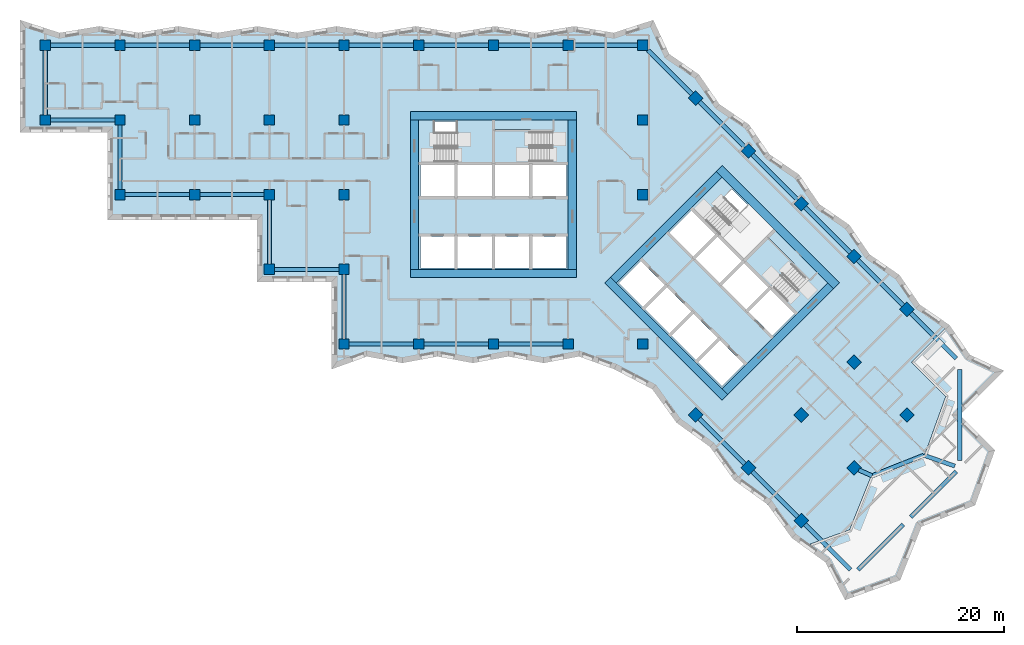
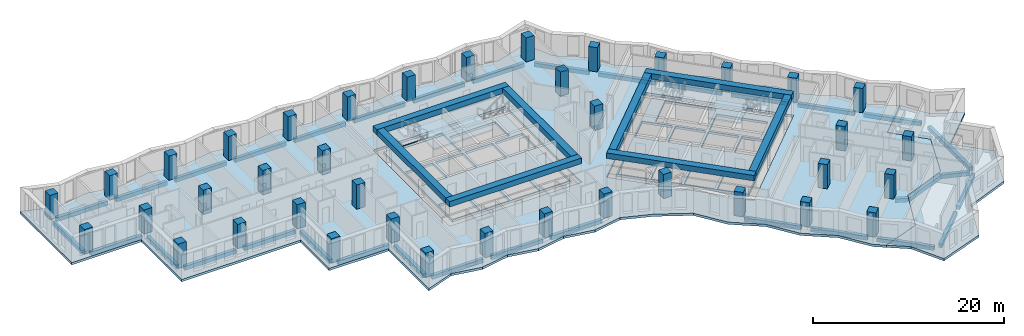
# One storey, part 1 of 14: 42 beams, 39 columns, 7 slabs, 22 openings, 3 elements without a shape of their own.
"""IFC4 building model written with IfcOpenShell, lengths in metres."""

from ifc_helpers import new_model, si_unit, direction, frame, origin, origin_2d, place, context, subcontext, project, spatial, polyline, rectangle, outline, extrude, material, layer, layer_set, material_profile, profile_set, type_object, element, aggregate, save


model = new_model("IFC4")

# Units and contexts
model_context = context("Model", 3, precision=1e-05, world=origin(), true_north=direction((0.0, 1.0)))
body_context = subcontext(model_context, "Body", "Model", "MODEL_VIEW")
ifc_project = project(units=[si_unit("LENGTHUNIT", "METRE"), si_unit("AREAUNIT", "SQUARE_METRE"), si_unit("VOLUMEUNIT", "CUBIC_METRE"), si_unit("PLANEANGLEUNIT", "RADIAN"), si_unit("MASSUNIT", "GRAM", prefix="KILO")], contexts=[model_context])

# Site, building, storey
site_placement = place(None, origin())
site = spatial("IfcSite", under=ifc_project, at=site_placement, CompositionType="ELEMENT")
building_placement = place(site_placement, origin())
building = spatial("IfcBuilding", under=site, at=building_placement, Name="Windrow Commons", CompositionType="ELEMENT")
storey_placement = place(building_placement, frame((0.0, 0.0, 118.6)))
storey = spatial("IfcBuildingStorey", under=building, at=storey_placement, Name="L32", CompositionType="ELEMENT", Elevation=118.6)

# Columns
ifc_material_1 = material(Name="Concrete C60/75", Category="concrete")
ifc_material_profile_1 = material_profile(ifc_material_1, rectangle(XDim=1.0, YDim=1.0, at=origin_2d()))
ifc_profile_set_1 = profile_set([ifc_material_profile_1], Name="Concrete C60/75")
column_type = type_object("IfcColumnType", Name="RC COLUMN 1000x1000 C60/75", PredefinedType="COLUMN", material=ifc_profile_set_1)
for number, where, z_axis, x_axis, name in (
    (1, (21.6, 64.8, 0.0), (0.0, 0.0, 1.0), (1.0, 0.0, 0.0), "C-Z2-04I"),
    (2, (21.6, 72.0, 0.0), (0.0, 0.0, 1.0), (1.0, 0.0, 0.0), "C-Z2-04J"),
    (3, (28.8, 57.6, 0.0), (0.0, 0.0, 1.0), (1.0, 0.0, 0.0), "C-Z2-05H"),
    (4, (28.8, 64.8, 0.0), (0.0, 0.0, 1.0), (1.0, 0.0, 0.0), "C-Z2-05I"),
    (5, (28.8, 72.0, 0.0), (0.0, 0.0, 1.0), (1.0, 0.0, 0.0), "C-Z2-05J"),
    (6, (36.0, 57.6, 0.0), (0.0, 0.0, 1.0), (1.0, 0.0, 0.0), "C-Z2-06H"),
    (7, (36.0, 64.8, 0.0), (0.0, 0.0, 1.0), (1.0, 0.0, 0.0), "C-Z2-06I"),
    (8, (36.0, 72.0, 0.0), (0.0, 0.0, 1.0), (1.0, 0.0, 0.0), "C-Z2-06J"),
    (9, (43.2, 50.4, 0.0), (0.0, 0.0, 1.0), (1.0, 0.0, 0.0), "C-Z2-07G"),
    (10, (43.2, 57.6, 0.0), (0.0, 0.0, 1.0), (1.0, 0.0, 0.0), "C-Z2-07H"),
    (11, (43.2, 64.8, 0.0), (0.0, 0.0, 1.0), (1.0, 0.0, 0.0), "C-Z2-07I"),
    (12, (43.2, 72.0, 0.0), (0.0, 0.0, 1.0), (1.0, 0.0, 0.0), "C-Z2-07J"),
    (13, (50.4, 43.2, 0.0), (0.0, 0.0, 1.0), (1.0, 0.0, 0.0), "C-Z2-08F"),
    (14, (50.4, 50.4, 0.0), (0.0, 0.0, 1.0), (1.0, 0.0, 0.0), "C-Z2-08G"),
    (15, (50.4, 57.6, 0.0), (0.0, 0.0, 1.0), (1.0, 0.0, 0.0), "C-Z2-08H"),
    (16, (50.4, 64.8, 0.0), (0.0, 0.0, 1.0), (1.0, 0.0, 0.0), "C-Z2-08I"),
    (17, (50.4, 72.0, 0.0), (0.0, 0.0, 1.0), (1.0, 0.0, 0.0), "C-Z2-08J"),
    (18, (57.6, 43.2, 0.0), (0.0, 0.0, 1.0), (1.0, 0.0, 0.0), "C-Z2-09F"),
    (19, (57.6, 72.0, 0.0), (0.0, 0.0, 1.0), (1.0, 0.0, 0.0), "C-Z2-09J"),
    (20, (64.8, 43.2, 0.0), (0.0, 0.0, 1.0), (1.0, 0.0, 0.0), "C-Z2-10F"),
    (21, (64.8, 72.0, 0.0), (0.0, 0.0, 1.0), (1.0, 0.0, 0.0), "C-Z2-10J"),
    (22, (72.0, 43.2, 0.0), (0.0, 0.0, 1.0), (1.0, 0.0, 0.0), "C-Z2-11F"),
    (23, (72.0, 72.0, 0.0), (0.0, 0.0, 1.0), (1.0, 0.0, 0.0), "C-Z2-11J"),
    (24, (79.2, 43.2, 0.0), (0.0, 0.0, 1.0), (1.0, 0.0, 0.0), "C-Z2-12F"),
    (25, (79.2, 57.6, 0.0), (0.0, 0.0, 1.0), (1.0, 0.0, 0.0), "C-Z2-12H"),
    (26, (79.2, 64.8, 0.0), (0.0, 0.0, 1.0), (1.0, 0.0, 0.0), "C-Z2-12I"),
    (27, (79.2, 72.0, 0.0), (0.0, 0.0, 1.0), (1.0, 0.0, 0.0), "C-Z2-12J"),
    (28, (84.2912, 66.9088, 0.0), (0.0, 0.0, 1.0), (0.7071067812, -0.7071067812, 0.0), "C-Z2-P2Q"),
    (29, (89.3823, 61.8177, 0.0), (0.0, 0.0, 1.0), (0.7071067812, -0.7071067812, 0.0), "C-Z2-P3Q"),
    (30, (94.4735, 56.7265, 0.0), (0.0, 0.0, 1.0), (0.7071067812, -0.7071067812, 0.0), "C-Z2-P4Q"),
    (31, (99.5647, 51.6353, 0.0), (0.0, 0.0, 1.0), (0.7071067812, -0.7071067812, 0.0), "C-Z2-P5Q"),
    (32, (84.2912, 36.3618, 0.0), (0.0, 0.0, 1.0), (0.7071067812, -0.7071067812, 0.0), "C-Z2-P5T"),
    (33, (104.6558, 46.5442, 0.0), (0.0, 0.0, 1.0), (0.7071067812, -0.7071067812, 0.0), "C-Z2-P6Q"),
    (34, (99.5647, 41.453, 0.0), (0.0, 0.0, 1.0), (0.7071067812, -0.7071067812, 0.0), "C-Z2-P6R"),
    (35, (94.4735, 36.3618, 0.0), (0.0, 0.0, 1.0), (0.7071067812, -0.7071067812, 0.0), "C-Z2-P6S"),
    (36, (89.3823, 31.2706, 0.0), (0.0, 0.0, 1.0), (0.7071067812, -0.7071067812, 0.0), "C-Z2-P6T"),
    (37, (104.6558, 36.3618, 0.0), (0.0, 0.0, 1.0), (0.7071067812, -0.7071067812, 0.0), "C-Z2-P7R"),
    (38, (99.5647, 31.2706, 0.0), (0.0, 0.0, 1.0), (0.7071067812, -0.7071067812, 0.0), "C-Z2-P7S"),
    (39, (94.4735, 26.1795, 0.0), (0.0, 0.0, 1.0), (0.7071067812, -0.7071067812, 0.0), "C-Z2-P7T"),
):
    element("IfcColumn", number, at=place(storey_placement, frame(where, z_axis=z_axis, x_axis=x_axis)), inside=storey, type_object=column_type, Name=name, PredefinedType="COLUMN", context=body_context, shape_type="SweptSolid", body=[
        extrude(rectangle(XDim=1.0, YDim=1.0, at=origin_2d()), origin(), (0.0, 0.0, 1.0), 3.1),
    ])

# Beams
ifc_material_2 = material(Name="Concrete C50/60", Category="concrete")
ifc_material_profile_2 = material_profile(ifc_material_2, rectangle(XDim=0.8, YDim=0.7, at=origin_2d()))
ifc_profile_set_2 = profile_set([ifc_material_profile_2], Name="Concrete C50/60")
beam_type_1 = type_object("IfcBeamType", Name="RC COUPLING BEAM 800x700 C50/60", PredefinedType="LINTEL", material=ifc_profile_set_2)
for number, where, z_axis, x_axis, name in (
    (40, (56.8, 50.0, 2.75), (1.0, 0.0, 0.0), (0.0, 1.0, 0.0), "Core A coupling beam outer-S"),
    (41, (56.8, 65.2, 2.75), (1.0, 0.0, 0.0), (0.0, 1.0, 0.0), "Core A coupling beam outer-N"),
):
    element("IfcBeam", number, at=place(storey_placement, frame(where, z_axis=z_axis, x_axis=x_axis)), inside=storey, type_object=beam_type_1, Name=name, PredefinedType="LINTEL", context=body_context, shape_type="SweptSolid", body=[
        extrude(rectangle(XDim=0.8, YDim=0.7, at=origin_2d()), origin(), (0.0, 0.0, 1.0), 16.0),
    ])
for number, where, z_axis, x_axis, name in (
    (42, (57.2, 50.4, 2.75), (0.0, 1.0, 0.0), (-1.0, 0.0, 0.0), "Core A coupling beam outer-W"),
    (43, (72.4, 50.4, 2.75), (0.0, 1.0, 0.0), (-1.0, 0.0, 0.0), "Core A coupling beam outer-E"),
):
    element("IfcBeam", number, at=place(storey_placement, frame(where, z_axis=z_axis, x_axis=x_axis)), inside=storey, type_object=beam_type_1, Name=name, PredefinedType="LINTEL", context=body_context, shape_type="SweptSolid", body=[
        extrude(rectangle(XDim=0.8, YDim=0.7, at=origin_2d()), origin(), (0.0, 0.0, 1.0), 14.4),
    ])
for number, where, z_axis, x_axis, name in (
    (44, (75.8059, 49.3726, 2.75), (0.7071067812, -0.7071067812, 0.0), (0.7071067812, 0.7071067812, 0.0), "Core B coupling beam outer-S"),
    (45, (86.5539, 60.1206, 2.75), (0.7071067812, -0.7071067812, 0.0), (0.7071067812, 0.7071067812, 0.0), "Core B coupling beam outer-N"),
):
    element("IfcBeam", number, at=place(storey_placement, frame(where, z_axis=z_axis, x_axis=x_axis)), inside=storey, type_object=beam_type_1, Name=name, PredefinedType="LINTEL", context=body_context, shape_type="SweptSolid", body=[
        extrude(rectangle(XDim=0.8, YDim=0.7, at=origin_2d()), origin(), (0.0, 0.0, 1.0), 16.0),
    ])
for number, where, z_axis, x_axis, name in (
    (46, (76.3716, 49.3726, 2.75), (0.7071067812, 0.7071067812, 0.0), (-0.7071067812, 0.7071067812, 0.0), "Core B coupling beam outer-W"),
    (47, (87.1196, 38.6246, 2.75), (0.7071067812, 0.7071067812, 0.0), (-0.7071067812, 0.7071067812, 0.0), "Core B coupling beam outer-E"),
):
    element("IfcBeam", number, at=place(storey_placement, frame(where, z_axis=z_axis, x_axis=x_axis)), inside=storey, type_object=beam_type_1, Name=name, PredefinedType="LINTEL", context=body_context, shape_type="SweptSolid", body=[
        extrude(rectangle(XDim=0.8, YDim=0.7, at=origin_2d()), origin(), (0.0, 0.0, 1.0), 14.3999),
    ])
ifc_material_3 = material(Name="Concrete C50/60", Category="concrete")
ifc_material_profile_3 = material_profile(ifc_material_3, rectangle(XDim=0.4, YDim=0.5, at=origin_2d()))
ifc_profile_set_3 = profile_set([ifc_material_profile_3], Name="Concrete C50/60")
beam_type_2 = type_object("IfcBeamType", Name="RC EDGE BEAM 400x500 C50/60", PredefinedType="SPANDREL", material=ifc_profile_set_3)
beam_1_placement = place(storey_placement, frame((101.2922, 30.5004, -0.55), z_axis=(0.929157453, 0.3696842268, 0.0), x_axis=(-0.3696842268, 0.929157453, 0.0)))
element("IfcBeam", 48, at=beam_1_placement, inside=storey, type_object=beam_type_2, Name="Terrace base beam TR-L32-1", PredefinedType="SPANDREL", context=body_context, shape_type="SweptSolid", body=[
    extrude(rectangle(XDim=0.4, YDim=0.5, at=origin_2d()), origin(), (0.0, 0.0, 1.0), 5.367),
])
beam_2_placement = place(storey_placement, frame((100.0081, 31.0729, -0.55), z_axis=(0.9133387079, -0.4072006933, 0.0), x_axis=(0.4072006933, 0.9133387079, 0.0)))
element("IfcBeam", 49, at=beam_2_placement, inside=storey, type_object=beam_type_2, Name="Terrace base bracket beam TR-L32-1.1", PredefinedType="SPANDREL", context=body_context, shape_type="SweptSolid", body=[
    extrude(rectangle(XDim=0.4, YDim=0.5, at=origin_2d()), origin(), (0.0, 0.0, 1.0), 1.4059),
])
beam_3_placement = place(storey_placement, frame((109.2704, 31.4374, -0.55), z_axis=(-0.943847534, 0.3303813441, 0.0), x_axis=(-0.3303813441, -0.943847534, 0.0)))
element("IfcBeam", 50, at=beam_3_placement, inside=storey, type_object=beam_type_2, Name="Terrace base bracket beam TR-L32-1.2", PredefinedType="SPANDREL", context=body_context, shape_type="SweptSolid", body=[
    extrude(rectangle(XDim=0.4, YDim=0.5, at=origin_2d()), origin(), (0.0, 0.0, 1.0), 3.1694),
])
for number, where, z_axis, x_axis, name in (
    (51, (35.5, 57.6, -0.55), (-1.0, 0.0, 0.0), (0.0, -1.0, 0.0), "Edge beam L32 001"),
    (52, (28.8, 58.1, -0.55), (0.0, 1.0, 0.0), (-1.0, 0.0, 0.0), "Edge beam L32 002"),
    (53, (28.3, 64.8, -0.55), (-1.0, 0.0, 0.0), (0.0, -1.0, 0.0), "Edge beam L32 003"),
    (54, (21.6, 65.3, -0.55), (0.0, 1.0, 0.0), (-1.0, 0.0, 0.0), "Edge beam L32 004"),
    (55, (22.1, 72.0, -0.55), (1.0, 0.0, 0.0), (0.0, 1.0, 0.0), "Edge beam L32 005"),
    (56, (29.3, 72.0, -0.55), (1.0, 0.0, 0.0), (0.0, 1.0, 0.0), "Edge beam L32 006"),
    (57, (36.5, 72.0, -0.55), (1.0, 0.0, 0.0), (0.0, 1.0, 0.0), "Edge beam L32 007"),
    (58, (43.7, 72.0, -0.55), (1.0, 0.0, 0.0), (0.0, 1.0, 0.0), "Edge beam L32 008"),
    (59, (50.9, 72.0, -0.55), (1.0, 0.0, 0.0), (0.0, 1.0, 0.0), "Edge beam L32 009"),
    (60, (58.1, 72.0, -0.55), (1.0, 0.0, 0.0), (0.0, 1.0, 0.0), "Edge beam L32 010"),
    (61, (65.3, 72.0, -0.55), (1.0, 0.0, 0.0), (0.0, 1.0, 0.0), "Edge beam L32 011"),
    (62, (72.5, 72.0, -0.55), (1.0, 0.0, 0.0), (0.0, 1.0, 0.0), "Edge beam L32 012"),
):
    element("IfcBeam", number, at=place(storey_placement, frame(where, z_axis=z_axis, x_axis=x_axis)), inside=storey, type_object=beam_type_2, Name=name, PredefinedType="SPANDREL", context=body_context, shape_type="SweptSolid", body=[
        extrude(rectangle(XDim=0.4, YDim=0.5, at=origin_2d()), origin(), (0.0, 0.0, 1.0), 6.2),
    ])
beam_4_placement = place(storey_placement, frame((79.7, 71.5, -0.55), z_axis=(0.7071067812, -0.7071067812, 0.0), x_axis=(0.7071067812, 0.7071067812, 0.0)))
element("IfcBeam", 63, at=beam_4_placement, inside=storey, type_object=beam_type_2, Name="Edge beam L32 013", PredefinedType="SPANDREL", context=body_context, shape_type="SweptSolid", body=[
    extrude(rectangle(XDim=0.4, YDim=0.5, at=origin_2d()), origin(), (0.0, 0.0, 1.0), 5.9929),
])
beam_5_placement = place(storey_placement, frame((84.6448, 66.5552, -0.55), z_axis=(0.7071067812, -0.7071067812, 0.0), x_axis=(0.7071067812, 0.7071067812, 0.0)))
element("IfcBeam", 64, at=beam_5_placement, inside=storey, type_object=beam_type_2, Name="Edge beam L32 014", PredefinedType="SPANDREL", context=body_context, shape_type="SweptSolid", body=[
    extrude(rectangle(XDim=0.4, YDim=0.5, at=origin_2d()), origin(), (0.0, 0.0, 1.0), 6.1998),
])
for number, where, z_axis, x_axis, name in (
    (65, (89.7359, 61.4641, -0.55), (0.7071067812, -0.7071067812, 0.0), (0.7071067812, 0.7071067812, 0.0), "Edge beam L32 015"),
    (66, (94.8271, 56.3729, -0.55), (0.7071067812, -0.7071067812, 0.0), (0.7071067812, 0.7071067812, 0.0), "Edge beam L32 016"),
):
    element("IfcBeam", number, at=place(storey_placement, frame(where, z_axis=z_axis, x_axis=x_axis)), inside=storey, type_object=beam_type_2, Name=name, PredefinedType="SPANDREL", context=body_context, shape_type="SweptSolid", body=[
        extrude(rectangle(XDim=0.4, YDim=0.5, at=origin_2d()), origin(), (0.0, 0.0, 1.0), 6.1999),
    ])
beam_6_placement = place(storey_placement, frame((99.9183, 51.2817, -0.55), z_axis=(0.7071067812, -0.7071067812, 0.0), x_axis=(0.7071067812, 0.7071067812, 0.0)))
element("IfcBeam", 67, at=beam_6_placement, inside=storey, type_object=beam_type_2, Name="Edge beam L32 017", PredefinedType="SPANDREL", context=body_context, shape_type="SweptSolid", body=[
    extrude(rectangle(XDim=0.4, YDim=0.5, at=origin_2d()), origin(), (0.0, 0.0, 1.0), 6.1998),
])
beam_7_placement = place(storey_placement, frame((105.0094, 46.1906, -0.55), z_axis=(0.7071067812, -0.7071067812, 0.0), x_axis=(0.7071067812, 0.7071067812, 0.0)))
element("IfcBeam", 68, at=beam_7_placement, inside=storey, type_object=beam_type_2, Name="Edge beam L32 018", PredefinedType="SPANDREL", context=body_context, shape_type="SweptSolid", body=[
    extrude(rectangle(XDim=0.4, YDim=0.5, at=origin_2d()), origin(), (0.0, 0.0, 1.0), 6.1999),
])
beam_8_placement = place(storey_placement, frame((109.747, 40.7459, -0.55), z_axis=(0.0, -1.0, 0.0), x_axis=(1.0, 0.0, 0.0)))
element("IfcBeam", 69, at=beam_8_placement, inside=storey, type_object=beam_type_2, Name="Edge beam L32 019", PredefinedType="SPANDREL", context=body_context, shape_type="SweptSolid", body=[
    extrude(rectangle(XDim=0.4, YDim=0.5, at=origin_2d()), origin(), (0.0, 0.0, 1.0), 8.7682),
])
for number, where, z_axis, x_axis, name in (
    (70, (109.3934, 30.917, -0.55), (-0.7071148459, -0.7070987164, 0.0), (0.7070987164, -0.7071148459, 0.0), "Edge beam L32 020"),
    (71, (104.3022, 25.8259, -0.55), (-0.7070987164, -0.7071148459, 0.0), (0.7071148459, -0.7070987164, 0.0), "Edge beam L32 021"),
):
    element("IfcBeam", number, at=place(storey_placement, frame(where, z_axis=z_axis, x_axis=x_axis)), inside=storey, type_object=beam_type_2, Name=name, PredefinedType="SPANDREL", context=body_context, shape_type="SweptSolid", body=[
        extrude(rectangle(XDim=0.4, YDim=0.5, at=origin_2d()), origin(), (0.0, 0.0, 1.0), 6.1998),
    ])
beam_9_placement = place(storey_placement, frame((99.2111, 21.4419, -0.55), z_axis=(-0.7071067812, 0.7071067812, 0.0), x_axis=(-0.7071067812, -0.7071067812, 0.0)))
element("IfcBeam", 72, at=beam_9_placement, inside=storey, type_object=beam_type_2, Name="Edge beam L32 022", PredefinedType="SPANDREL", context=body_context, shape_type="SweptSolid", body=[
    extrude(rectangle(XDim=0.4, YDim=0.5, at=origin_2d()), origin(), (0.0, 0.0, 1.0), 6.1999),
])
for number, where, z_axis, x_axis, name in (
    (73, (94.1199, 26.5331, -0.55), (-0.7071148459, 0.7070987164, 0.0), (-0.7070987164, -0.7071148459, 0.0), "Edge beam L32 023"),
    (74, (89.0287, 31.6242, -0.55), (-0.7070987164, 0.7071148459, 0.0), (-0.7071148459, -0.7070987164, 0.0), "Edge beam L32 024"),
):
    element("IfcBeam", number, at=place(storey_placement, frame(where, z_axis=z_axis, x_axis=x_axis)), inside=storey, type_object=beam_type_2, Name=name, PredefinedType="SPANDREL", context=body_context, shape_type="SweptSolid", body=[
        extrude(rectangle(XDim=0.4, YDim=0.5, at=origin_2d()), origin(), (0.0, 0.0, 1.0), 6.1998),
    ])
for number, where, z_axis, x_axis, name in (
    (75, (71.5, 43.2, -0.55), (-1.0, 0.0, 0.0), (0.0, -1.0, 0.0), "Edge beam L32 025"),
    (76, (64.3, 43.2, -0.55), (-1.0, 0.0, 0.0), (0.0, -1.0, 0.0), "Edge beam L32 026"),
    (77, (57.1, 43.2, -0.55), (-1.0, 0.0, 0.0), (0.0, -1.0, 0.0), "Edge beam L32 027"),
    (78, (50.4, 43.7, -0.55), (0.0, 1.0, 0.0), (-1.0, 0.0, 0.0), "Edge beam L32 028"),
    (79, (49.9, 50.4, -0.55), (-1.0, 0.0, 0.0), (0.0, -1.0, 0.0), "Edge beam L32 029"),
    (80, (43.2, 50.9, -0.55), (0.0, 1.0, 0.0), (-1.0, 0.0, 0.0), "Edge beam L32 030"),
    (81, (42.7, 57.6, -0.55), (-1.0, 0.0, 0.0), (0.0, -1.0, 0.0), "Edge beam L32 031"),
):
    element("IfcBeam", number, at=place(storey_placement, frame(where, z_axis=z_axis, x_axis=x_axis)), inside=storey, type_object=beam_type_2, Name=name, PredefinedType="SPANDREL", context=body_context, shape_type="SweptSolid", body=[
        extrude(rectangle(XDim=0.4, YDim=0.5, at=origin_2d()), origin(), (0.0, 0.0, 1.0), 6.2),
    ])

# Slab, openings
ifc_material_4 = material(Name="Concrete C50/60", Category="concrete")
ifc_layer_1 = layer(ifc_material_4, 0.3)
ifc_layer_set_1 = layer_set([ifc_layer_1], Name="CORE FLOOR SLAB 300 C50/60")
slab_type_1 = type_object("IfcSlabType", Name="CORE FLOOR SLAB 300 C50/60", PredefinedType="FLOOR", material=ifc_layer_set_1)
placement_1 = place(storey_placement, frame((0.0, 0.0, -0.3)))
slab_1 = element("IfcSlab", 82, at=placement_1, inside=storey, type_object=slab_type_1, Name="S-L32-core-A", PredefinedType="FLOOR", context=body_context, shape_type="SweptSolid", body=[
    extrude(outline(polyline([(57.6, 50.4), (72.0, 50.4), (72.0, 64.8), (57.6, 64.8), (57.6, 50.4)]), holes=[polyline([(57.75, 50.55), (61.05, 50.55), (61.05, 53.55), (57.75, 53.55), (57.75, 50.55)]), polyline([(61.35, 50.55), (64.65, 50.55), (64.65, 53.55), (61.35, 53.55), (61.35, 50.55)]), polyline([(64.95, 50.55), (68.25, 50.55), (68.25, 53.55), (64.95, 53.55), (64.95, 50.55)]), polyline([(68.55, 50.55), (71.85, 50.55), (71.85, 53.55), (68.55, 53.55), (68.55, 50.55)]), polyline([(57.75, 57.45), (61.05, 57.45), (61.05, 60.45), (57.75, 60.45), (57.75, 57.45)]), polyline([(61.35, 57.45), (64.65, 57.45), (64.65, 60.45), (61.35, 60.45), (61.35, 57.45)]), polyline([(64.95, 57.45), (68.25, 57.45), (68.25, 60.45), (64.95, 60.45), (64.95, 57.45)]), polyline([(68.55, 57.45), (71.85, 57.45), (71.85, 60.45), (68.55, 60.45), (68.55, 57.45)]), polyline([(59.1, 60.75), (64.65, 60.75), (64.65, 64.65), (59.1, 64.65), (59.1, 60.75)]), polyline([(64.95, 60.75), (70.5, 60.75), (70.5, 63.705), (64.95, 63.705), (64.95, 60.75)])]), origin(), (0.0, 0.0, 1.0), 0.3),
])
opening_1_placement = place(placement_1, origin())
element("IfcOpeningElement", 83, at=opening_1_placement, cuts=slab_1, Name="Slab opening S-L32-core-A 1", PredefinedType="OPENING", context=body_context, shape_type="SweptSolid", body=[
    extrude(outline(polyline([(57.755, 50.555), (57.755, 53.545), (61.045, 53.545), (61.045, 50.555), (57.755, 50.555)])), origin(), (0.0, 0.0, 1.0), 0.3),
])
opening_2_placement = place(placement_1, origin())
element("IfcOpeningElement", 84, at=opening_2_placement, cuts=slab_1, Name="Slab opening S-L32-core-A 2", PredefinedType="OPENING", context=body_context, shape_type="SweptSolid", body=[
    extrude(outline(polyline([(61.355, 50.555), (61.355, 53.545), (64.645, 53.545), (64.645, 50.555), (61.355, 50.555)])), origin(), (0.0, 0.0, 1.0), 0.3),
])
opening_3_placement = place(placement_1, origin())
element("IfcOpeningElement", 85, at=opening_3_placement, cuts=slab_1, Name="Slab opening S-L32-core-A 3", PredefinedType="OPENING", context=body_context, shape_type="SweptSolid", body=[
    extrude(outline(polyline([(64.955, 50.555), (64.955, 53.545), (68.245, 53.545), (68.245, 50.555), (64.955, 50.555)])), origin(), (0.0, 0.0, 1.0), 0.3),
])
opening_4_placement = place(placement_1, origin())
element("IfcOpeningElement", 86, at=opening_4_placement, cuts=slab_1, Name="Slab opening S-L32-core-A 4", PredefinedType="OPENING", context=body_context, shape_type="SweptSolid", body=[
    extrude(outline(polyline([(68.555, 50.555), (68.555, 53.545), (71.845, 53.545), (71.845, 50.555), (68.555, 50.555)])), origin(), (0.0, 0.0, 1.0), 0.3),
])
opening_5_placement = place(placement_1, origin())
element("IfcOpeningElement", 87, at=opening_5_placement, cuts=slab_1, Name="Slab opening S-L32-core-A 5", PredefinedType="OPENING", context=body_context, shape_type="SweptSolid", body=[
    extrude(outline(polyline([(57.755, 57.455), (57.755, 60.445), (61.045, 60.445), (61.045, 57.455), (57.755, 57.455)])), origin(), (0.0, 0.0, 1.0), 0.3),
])
opening_6_placement = place(placement_1, origin())
element("IfcOpeningElement", 88, at=opening_6_placement, cuts=slab_1, Name="Slab opening S-L32-core-A 6", PredefinedType="OPENING", context=body_context, shape_type="SweptSolid", body=[
    extrude(outline(polyline([(61.355, 57.455), (61.355, 60.445), (64.645, 60.445), (64.645, 57.455), (61.355, 57.455)])), origin(), (0.0, 0.0, 1.0), 0.3),
])
opening_7_placement = place(placement_1, origin())
element("IfcOpeningElement", 89, at=opening_7_placement, cuts=slab_1, Name="Slab opening S-L32-core-A 7", PredefinedType="OPENING", context=body_context, shape_type="SweptSolid", body=[
    extrude(outline(polyline([(64.955, 57.455), (64.955, 60.445), (68.245, 60.445), (68.245, 57.455), (64.955, 57.455)])), origin(), (0.0, 0.0, 1.0), 0.3),
])
opening_8_placement = place(placement_1, origin())
element("IfcOpeningElement", 90, at=opening_8_placement, cuts=slab_1, Name="Slab opening S-L32-core-A 8", PredefinedType="OPENING", context=body_context, shape_type="SweptSolid", body=[
    extrude(outline(polyline([(68.555, 57.455), (68.555, 60.445), (71.845, 60.445), (71.845, 57.455), (68.555, 57.455)])), origin(), (0.0, 0.0, 1.0), 0.3),
])
opening_9_placement = place(placement_1, origin())
element("IfcOpeningElement", 91, at=opening_9_placement, cuts=slab_1, Name="Slab opening S-L32-core-A 9", PredefinedType="OPENING", context=body_context, shape_type="SweptSolid", body=[
    extrude(outline(polyline([(59.105, 60.755), (59.105, 64.645), (64.645, 64.645), (64.645, 60.755), (59.105, 60.755)])), origin(), (0.0, 0.0, 1.0), 0.3),
])
opening_10_placement = place(placement_1, origin())
element("IfcOpeningElement", 92, at=opening_10_placement, cuts=slab_1, Name="Slab opening S-L32-core-A 10", PredefinedType="OPENING", context=body_context, shape_type="SweptSolid", body=[
    extrude(outline(polyline([(64.955, 60.755), (64.955, 63.7), (70.495, 63.7), (70.495, 60.755), (64.955, 60.755)])), origin(), (0.0, 0.0, 1.0), 0.3),
])

slab_2 = element("IfcSlab", 93, at=placement_1, inside=storey, type_object=slab_type_1, Name="S-L32-core-B", PredefinedType="FLOOR", context=body_context, shape_type="SweptSolid", body=[
    extrude(outline(polyline([(76.6544, 49.0897), (86.8368, 38.9074), (97.0191, 49.0897), (86.8368, 59.2721), (76.6544, 49.0897)]), holes=[polyline([(76.8665, 49.0897), (79.2, 46.7563), (81.3213, 48.8776), (78.9879, 51.2111), (76.8665, 49.0897)]), polyline([(79.4121, 46.5442), (81.7456, 44.2107), (83.8669, 46.332), (81.5335, 48.6655), (79.4121, 46.5442)]), polyline([(81.9577, 43.9986), (84.2912, 41.6651), (86.4125, 43.7864), (84.079, 46.1199), (81.9577, 43.9986)]), polyline([(84.5033, 41.453), (86.8368, 39.1195), (88.9581, 41.2409), (86.6246, 43.5743), (84.5033, 41.453)]), polyline([(81.7456, 53.9688), (84.079, 51.6353), (86.2004, 53.7566), (83.8669, 56.0901), (81.7456, 53.9688)]), polyline([(84.2912, 51.4232), (86.6246, 49.0897), (88.7459, 51.2111), (86.4125, 53.5445), (84.2912, 51.4232)]), polyline([(86.8368, 48.8776), (89.1702, 46.5442), (91.2915, 48.6655), (88.9581, 50.9989), (86.8368, 48.8776)]), polyline([(89.3823, 46.332), (91.7158, 43.9986), (93.8371, 46.1199), (91.5037, 48.4533), (89.3823, 46.332)]), polyline([(85.0336, 55.3476), (88.9581, 51.4232), (91.7158, 54.1809), (87.7913, 58.1054), (85.0336, 55.3476)]), polyline([(89.1702, 51.2111), (93.0946, 47.2866), (95.1841, 49.3761), (91.2597, 53.3006), (89.1702, 51.2111)])]), origin(), (0.0, 0.0, 1.0), 0.3),
])
opening_11_placement = place(placement_1, origin())
element("IfcOpeningElement", 94, at=opening_11_placement, cuts=slab_2, Name="Slab opening S-L32-core-B 1", PredefinedType="OPENING", context=body_context, shape_type="SweptSolid", body=[
    extrude(outline(polyline([(76.8736, 49.0897), (78.9879, 51.204), (81.3142, 48.8776), (79.2, 46.7634), (76.8736, 49.0897)])), origin(), (0.0, 0.0, 1.0), 0.3),
])
opening_12_placement = place(placement_1, origin())
element("IfcOpeningElement", 95, at=opening_12_placement, cuts=slab_2, Name="Slab opening S-L32-core-B 2", PredefinedType="OPENING", context=body_context, shape_type="SweptSolid", body=[
    extrude(outline(polyline([(79.4192, 46.5442), (81.5335, 48.6584), (83.8598, 46.332), (81.7456, 44.2178), (79.4192, 46.5442)])), origin(), (0.0, 0.0, 1.0), 0.3),
])
opening_13_placement = place(placement_1, origin())
element("IfcOpeningElement", 96, at=opening_13_placement, cuts=slab_2, Name="Slab opening S-L32-core-B 3", PredefinedType="OPENING", context=body_context, shape_type="SweptSolid", body=[
    extrude(outline(polyline([(81.9648, 43.9986), (84.079, 46.1128), (86.4054, 43.7864), (84.2912, 41.6722), (81.9648, 43.9986)])), origin(), (0.0, 0.0, 1.0), 0.3),
])
opening_14_placement = place(placement_1, origin())
element("IfcOpeningElement", 97, at=opening_14_placement, cuts=slab_2, Name="Slab opening S-L32-core-B 4", PredefinedType="OPENING", context=body_context, shape_type="SweptSolid", body=[
    extrude(outline(polyline([(84.5104, 41.453), (86.6246, 43.5672), (88.951, 41.2409), (86.8368, 39.1266), (84.5104, 41.453)])), origin(), (0.0, 0.0, 1.0), 0.3),
])
opening_15_placement = place(placement_1, origin())
element("IfcOpeningElement", 98, at=opening_15_placement, cuts=slab_2, Name="Slab opening S-L32-core-B 5", PredefinedType="OPENING", context=body_context, shape_type="SweptSolid", body=[
    extrude(outline(polyline([(81.7527, 53.9688), (83.8669, 56.083), (86.1933, 53.7566), (84.079, 51.6424), (81.7527, 53.9688)])), origin(), (0.0, 0.0, 1.0), 0.3),
])
opening_16_placement = place(placement_1, origin())
element("IfcOpeningElement", 99, at=opening_16_placement, cuts=slab_2, Name="Slab opening S-L32-core-B 6", PredefinedType="OPENING", context=body_context, shape_type="SweptSolid", body=[
    extrude(outline(polyline([(84.2983, 51.4232), (86.4125, 53.5374), (88.7388, 51.2111), (86.6246, 49.0968), (84.2983, 51.4232)])), origin(), (0.0, 0.0, 1.0), 0.3),
])
opening_17_placement = place(placement_1, origin())
element("IfcOpeningElement", 100, at=opening_17_placement, cuts=slab_2, Name="Slab opening S-L32-core-B 7", PredefinedType="OPENING", context=body_context, shape_type="SweptSolid", body=[
    extrude(outline(polyline([(86.8439, 48.8776), (88.9581, 50.9918), (91.2844, 48.6655), (89.1702, 46.5513), (86.8439, 48.8776)])), origin(), (0.0, 0.0, 1.0), 0.3),
])
opening_18_placement = place(placement_1, origin())
element("IfcOpeningElement", 101, at=opening_18_placement, cuts=slab_2, Name="Slab opening S-L32-core-B 8", PredefinedType="OPENING", context=body_context, shape_type="SweptSolid", body=[
    extrude(outline(polyline([(89.3894, 46.332), (91.5037, 48.4462), (93.83, 46.1199), (91.7158, 44.0057), (89.3894, 46.332)])), origin(), (0.0, 0.0, 1.0), 0.3),
])
opening_19_placement = place(placement_1, origin())
element("IfcOpeningElement", 102, at=opening_19_placement, cuts=slab_2, Name="Slab opening S-L32-core-B 9", PredefinedType="OPENING", context=body_context, shape_type="SweptSolid", body=[
    extrude(outline(polyline([(85.0407, 55.3476), (87.7913, 58.0983), (91.7087, 54.1809), (88.9581, 51.4303), (85.0407, 55.3476)])), origin(), (0.0, 0.0, 1.0), 0.3),
])
opening_20_placement = place(placement_1, origin())
element("IfcOpeningElement", 103, at=opening_20_placement, cuts=slab_2, Name="Slab opening S-L32-core-B 10", PredefinedType="OPENING", context=body_context, shape_type="SweptSolid", body=[
    extrude(outline(polyline([(89.1773, 51.2111), (91.2597, 53.2935), (95.177, 49.3761), (93.0946, 47.2937), (89.1773, 51.2111)])), origin(), (0.0, 0.0, 1.0), 0.3),
])

# Stair, slab
ifc_material_5 = material(Name="Concrete C40/50", Category="concrete")
stair_type = type_object("IfcStairType", Name="Core stair", PredefinedType="HALF_TURN_STAIR", material=ifc_material_5)
placement_2 = place(storey_placement, origin())
stair_1 = element("IfcStair", 104, at=placement_2, inside=storey, type_object=stair_type, Name="L32 Exit stair A1 core A", PredefinedType="HALF_TURN_STAIR")
ifc_material_6 = material(Name="Concrete C40/50", Category="concrete")
ifc_layer_2 = layer(ifc_material_6, 0.2)
ifc_layer_set_2 = layer_set([ifc_layer_2], Name="Core stair landing")
slab_type_2 = type_object("IfcSlabType", Name="Core stair landing", PredefinedType="LANDING", material=ifc_layer_set_2)
placement_3 = place(storey_placement, frame((0.0, 0.0, 1.5)))
slab_3 = element("IfcSlab", 105, at=placement_3, type_object=slab_type_2, Name="ST-A1 landing 1", PredefinedType="LANDING", context=body_context, shape_type="SweptSolid", body=[
    extrude(outline(polyline([(61.22, 60.5), (64.8, 60.5), (64.8, 64.9), (61.22, 64.9), (61.22, 60.5)])), origin(), (0.0, 0.0, 1.0), 0.2),
])
aggregate(stair_1, [slab_3])

stair_2 = element("IfcStair", 106, at=placement_2, inside=storey, type_object=stair_type, Name="L32 Exit stair A2 core A", PredefinedType="HALF_TURN_STAIR")
slab_4 = element("IfcSlab", 107, at=placement_3, type_object=slab_type_2, Name="ST-A2 landing 1", PredefinedType="LANDING", context=body_context, shape_type="SweptSolid", body=[
    extrude(outline(polyline([(64.8, 60.5), (68.38, 60.5), (68.38, 63.855), (64.8, 63.855), (64.8, 60.5)])), origin(), (0.0, 0.0, 1.0), 0.2),
])
aggregate(stair_2, [slab_4])

stair_3 = element("IfcStair", 108, at=placement_2, inside=storey, type_object=stair_type, Name="L32 Exit stair B2 core B", PredefinedType="HALF_TURN_STAIR")
slab_5 = element("IfcSlab", 109, at=placement_3, type_object=slab_type_2, Name="ST-B2 landing 1", PredefinedType="LANDING", context=body_context, shape_type="SweptSolid", body=[
    extrude(outline(polyline([(88.8874, 51.1403), (91.4188, 48.6089), (93.7911, 50.9812), (91.2597, 53.5127), (88.8874, 51.1403)])), origin(), (0.0, 0.0, 1.0), 0.2),
])
aggregate(stair_3, [slab_5])

# Slab, openings
ifc_material_7 = material(Name="Concrete C50/60", Category="concrete")
ifc_layer_3 = layer(ifc_material_7, 0.3)
ifc_layer_set_3 = layer_set([ifc_layer_3], Name="FLOOR SLAB 300 C50/60")
slab_type_3 = type_object("IfcSlabType", Name="FLOOR SLAB 300 C50/60", PredefinedType="FLOOR", material=ifc_layer_set_3)
slab_6 = element("IfcSlab", 110, at=placement_1, inside=storey, type_object=slab_type_3, Name="S-L32-floor", PredefinedType="FLOOR", context=body_context, shape_type="SweptSolid", body=[
    extrude(outline(polyline([(91.2226, 27.7333), (93.5578, 24.5072), (94.692, 23.6862), (99.1412, 25.2908), (101.1993, 30.4634), (106.3719, 32.5215), (106.9705, 34.1813), (108.3968, 38.1363), (105.0801, 41.453), (108.6985, 45.0713), (105.8967, 47.0003), (103.9274, 49.8606), (101.0671, 51.83), (99.0978, 54.6902), (96.2375, 56.6596), (94.2681, 59.5199), (91.4079, 61.4892), (89.4385, 64.3495), (86.5783, 66.3188), (84.6089, 69.1791), (81.7486, 71.1484), (80.2036, 74.433), (76.3888, 73.2), (72.574, 73.833), (68.7592, 73.2), (64.9444, 73.833), (61.1297, 73.2), (57.3149, 73.833), (53.5001, 73.2), (49.6853, 73.833), (45.8705, 73.2), (42.0557, 73.833), (38.2409, 73.2), (34.4261, 73.833), (30.6114, 73.2), (26.7966, 73.833), (22.9818, 73.2), (19.167, 74.433), (19.167, 63.6), (27.6, 63.6), (27.6, 55.167), (42.0, 55.167), (42.0, 49.2), (49.2, 49.2), (49.2, 40.767), (52.6062, 42.0), (56.0124, 41.367), (59.4185, 42.0), (62.8247, 41.367), (66.2309, 42.0), (69.6371, 41.367), (73.0432, 42.0), (76.4494, 40.767), (80.0999, 38.8561), (82.4351, 35.6299), (85.6612, 33.2947), (87.9965, 30.0685), (91.2226, 27.7333)]), holes=[polyline([(75.523, 49.0897), (86.8368, 60.4034), (98.1505, 49.0897), (86.8368, 37.776), (75.523, 49.0897)]), polyline([(56.8, 49.6), (56.8, 65.6), (72.8, 65.6), (72.8, 49.6), (56.8, 49.6)])]), origin(), (0.0, 0.0, 1.0), 0.3),
])
opening_21_placement = place(placement_1, origin())
element("IfcOpeningElement", 111, at=opening_21_placement, cuts=slab_6, Name="Slab opening S-L32-floor 1", PredefinedType="OPENING", context=body_context, shape_type="SweptSolid", body=[
    extrude(outline(polyline([(75.5301, 49.0897), (86.8368, 60.3963), (98.1434, 49.0897), (86.8368, 37.7831), (75.5301, 49.0897)])), origin(), (0.0, 0.0, 1.0), 0.3),
])
opening_22_placement = place(placement_1, origin())
element("IfcOpeningElement", 112, at=opening_22_placement, cuts=slab_6, Name="Slab opening S-L32-floor 2", PredefinedType="OPENING", context=body_context, shape_type="SweptSolid", body=[
    extrude(outline(polyline([(56.805, 49.605), (56.805, 65.595), (72.795, 65.595), (72.795, 49.605), (56.805, 49.605)])), origin(), (0.0, 0.0, 1.0), 0.3),
])

# Slab
ifc_material_8 = material(Name="Concrete C50/60", Category="concrete")
ifc_layer_4 = layer(ifc_material_8, 0.3)
ifc_layer_set_4 = layer_set([ifc_layer_4], Name="TERRACE SLAB 300 C50/60")
slab_type_4 = type_object("IfcSlabType", Name="TERRACE SLAB 300 C50/60", PredefinedType="FLOOR", material=ifc_layer_set_4)
element("IfcSlab", 113, at=placement_1, inside=storey, type_object=slab_type_4, Name="Terrace slab TR-L32-1", PredefinedType="FLOOR", context=body_context, shape_type="SweptSolid", body=[
    extrude(outline(polyline([(99.1412, 25.2908), (94.692, 23.6862), (96.784, 22.172), (98.695, 18.5216), (104.0036, 20.436), (106.0595, 25.6032), (111.2266, 27.6591), (113.1411, 32.9677), (109.747, 36.3618), (114.0108, 40.6256), (110.7263, 42.1707), (108.757, 45.031), (108.6985, 45.0713), (105.0801, 41.453), (108.3968, 38.1363), (106.9705, 34.1813), (106.3719, 32.5215), (101.1993, 30.4634), (99.1412, 25.2908)])), origin(), (0.0, 0.0, 1.0), 0.3),
])

save(model, "model.ifc")
